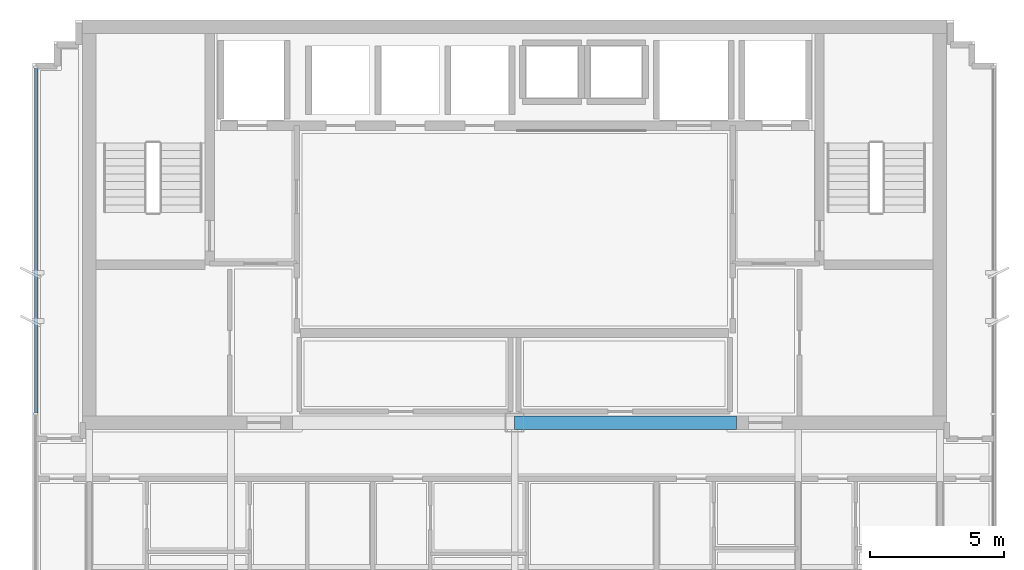
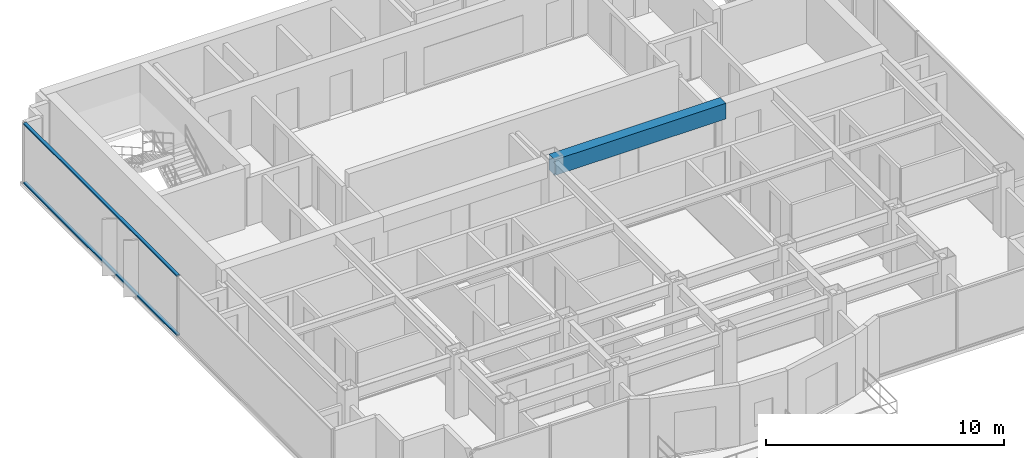
# One storey, part 2 of 10: 2 members, 1 beam, 1 element without a shape of its own.
"""IFC4 building model written with IfcOpenShell, lengths in metres."""

import ifcopenshell
import ifcopenshell.guid

model = None  # the IFC model being written
_history = None  # IfcOwnerHistory: only IFC2X3 demands one
_inside = {}  # id of a spatial element -> (the spatial element, [elements in it])
_under = {}  # id of a project, library or spatial element -> (it, [spatial elements below it])
_declared = {}  # id of a project -> (the project, [libraries it declares])
_typed = {}  # id of a type object -> (the type object, [elements of that type])
_made_of = {}  # id of a material, layer set ... -> (it, [elements and type objects made of it])


def new_model(schema):
    """Start an empty IFC model of exactly this schema.

    Asked for "IFC4X3", IfcOpenShell would pick the latest addendum, in which some entities
    have other attributes; the version numbers below select the first issue.
    IFC2X3 requires an IfcOwnerHistory on every rooted entity: one is made here for all.
    """
    global model, _history
    if schema == "IFC4X3":
        model = ifcopenshell.file(schema_version=(4, 3, 0, 0))
    else:
        model = ifcopenshell.file(schema=schema)
    _inside.clear()
    _under.clear()
    _declared.clear()
    _typed.clear()
    _made_of.clear()
    _history = None
    if model.schema == "IFC2X3":
        org = make("IfcOrganization", Name="unknown")
        user = make(
            "IfcPersonAndOrganization",
            ThePerson=make("IfcPerson", FamilyName="unknown"),
            TheOrganization=org,
        )
        app = make(
            "IfcApplication",
            ApplicationDeveloper=org,
            Version="unknown",
            ApplicationFullName="unknown",
            ApplicationIdentifier="unknown",
        )
        _history = make(
            "IfcOwnerHistory",
            OwningUser=user,
            OwningApplication=app,
            ChangeAction="ADDED",
            CreationDate=0,
        )
    return model


def make(cls, **values):
    """One entity of the class cls with the attributes given. An attribute that is None is left unset."""
    return model.create_entity(
        cls, **{name: value for name, value in values.items() if value is not None}
    )


def rooted(cls, **values):
    """An entity with a GlobalId (a new one), such as an element, a storey or a relation."""
    return make(cls, GlobalId=ifcopenshell.guid.new(), OwnerHistory=_history, **values)


def si_unit(unit_type, name, prefix=None):
    """IfcSIUnit, for example si_unit("LENGTHUNIT", "METRE", prefix="MILLI")."""
    return make("IfcSIUnit", UnitType=unit_type, Prefix=prefix, Name=name)


def assignment(units):
    """IfcUnitAssignment: the units of a project."""
    return None if units is None else make("IfcUnitAssignment", Units=units)


def point(xyz):
    """IfcCartesianPoint."""
    return None if xyz is None else make("IfcCartesianPoint", Coordinates=xyz)


def direction(xyz):
    """IfcDirection."""
    return None if xyz is None else make("IfcDirection", DirectionRatios=xyz)


def frame(location, z_axis=None, x_axis=None):
    """IfcAxis2Placement3D, a coordinate frame: its origin and axes. An axis left out is left unset."""
    return make(
        "IfcAxis2Placement3D",
        Location=point(location),
        Axis=direction(z_axis),
        RefDirection=direction(x_axis),
    )


def frame_2d(location, x_axis=None):
    """IfcAxis2Placement2D, a coordinate frame in the plane: its origin and x axis."""
    return make(
        "IfcAxis2Placement2D", Location=point(location), RefDirection=direction(x_axis)
    )


def origin():
    """The frame at (0, 0, 0) with its axes left unset."""
    return frame((0.0, 0.0, 0.0))


def origin_2d():
    """The frame at (0, 0) in the plane with its x axis left unset."""
    return frame_2d((0.0, 0.0))


def place(relative_to, where):
    """IfcLocalPlacement: puts the frame where relative to a parent placement (None: the world)."""
    return make(
        "IfcLocalPlacement", PlacementRelTo=relative_to, RelativePlacement=where
    )


def context(
    kind, dimensions, precision=None, world=None, true_north=None, identifier=None
):
    """IfcGeometricRepresentationContext, for example the 3D "Model" context."""
    return make(
        "IfcGeometricRepresentationContext",
        ContextIdentifier=identifier,
        ContextType=kind,
        CoordinateSpaceDimension=dimensions,
        Precision=precision,
        WorldCoordinateSystem=world,
        TrueNorth=true_north,
    )


def subcontext(parent, identifier, kind, view, scale=None):
    """IfcGeometricRepresentationSubContext, for example "Body" below "Model"."""
    return make(
        "IfcGeometricRepresentationSubContext",
        ContextIdentifier=identifier,
        ContextType=kind,
        ParentContext=parent,
        TargetScale=scale,
        TargetView=view,
    )


def project(units=None, contexts=None):
    """IfcProject with its units and contexts."""
    return rooted(
        "IfcProject",
        Name="project",
        RepresentationContexts=contexts,
        UnitsInContext=assignment(units),
    )


def spatial(cls, under=None, at=None, **own):
    """A site, building, storey or space (cls), placed at a placement, below another one or the project."""
    s = rooted(cls, ObjectPlacement=at, **own)
    if under is not None:
        _under.setdefault(under.id(), (under, []))[1].append(s)
    return s


def profile(cls, at=None, kind="AREA", **sizes):
    """A parametric profile (cls). Its sizes go by their IFC names, for example OverallWidth=200.0."""
    return make(cls, ProfileType=kind, Position=at, **sizes)


def rectangle(**sizes):
    """IfcRectangleProfileDef."""
    return profile("IfcRectangleProfileDef", **sizes)


def extrude(swept, where, along, depth):
    """IfcExtrudedAreaSolid: the profile swept, set in the frame where, extruded along a direction by depth."""
    return make(
        "IfcExtrudedAreaSolid",
        SweptArea=swept,
        Position=where,
        ExtrudedDirection=direction(along),
        Depth=depth,
    )


def shape(context_of_items, identifier, shape_type, items):
    """IfcShapeRepresentation: the items that make up one representation, for example the "Body"."""
    return make(
        "IfcShapeRepresentation",
        ContextOfItems=context_of_items,
        RepresentationIdentifier=identifier,
        RepresentationType=shape_type,
        Items=items,
    )


def source(mapping_origin, context_of_items, identifier, shape_type, items):
    """IfcRepresentationMap: a shape defined once, which mapped items show again and again."""
    return make(
        "IfcRepresentationMap",
        MappingOrigin=mapping_origin,
        MappedRepresentation=shape(context_of_items, identifier, shape_type, items),
    )


def transform(
    local_origin,
    x_axis=None,
    y_axis=None,
    z_axis=None,
    scale=None,
    scale2=None,
    scale3=None,
    uniform=True,
):
    """IfcCartesianTransformationOperator3D, or its non-uniform kind. x_axis, y_axis, z_axis: its Axis1, 2, 3."""
    if uniform:
        return make(
            "IfcCartesianTransformationOperator3D",
            Axis1=direction(x_axis),
            Axis2=direction(y_axis),
            LocalOrigin=point(local_origin),
            Scale=scale,
            Axis3=direction(z_axis),
        )
    return make(
        "IfcCartesianTransformationOperator3DnonUniform",
        Axis1=direction(x_axis),
        Axis2=direction(y_axis),
        LocalOrigin=point(local_origin),
        Scale=scale,
        Axis3=direction(z_axis),
        Scale2=scale2,
        Scale3=scale3,
    )


def mapped(mapping_source, mapping_target):
    """IfcMappedItem: shows the shape of a source again, moved by a transform."""
    return make(
        "IfcMappedItem", MappingSource=mapping_source, MappingTarget=mapping_target
    )


def material(Name=None, Category=None):
    """IfcMaterial."""
    return make("IfcMaterial", Name=Name, Category=Category)


def layer(
    of_material, thickness, ventilated=None, Name=None, Category=None, Priority=None
):
    """IfcMaterialLayer: one layer of a wall or slab, of a material (None: an air gap)."""
    return make(
        "IfcMaterialLayer",
        Material=of_material,
        LayerThickness=thickness,
        IsVentilated=ventilated,
        Name=Name,
        Category=Category,
        Priority=Priority,
    )


def layer_set(layers, Name=None):
    """IfcMaterialLayerSet."""
    return make("IfcMaterialLayerSet", MaterialLayers=layers, LayerSetName=Name)


def material_profile(
    of_material, cross_section, Name=None, Category=None, Priority=None
):
    """IfcMaterialProfile: a cross section and its material."""
    return make(
        "IfcMaterialProfile",
        Name=Name,
        Material=of_material,
        Profile=cross_section,
        Priority=Priority,
        Category=Category,
    )


def profile_set(profiles, Name=None, composite=None):
    """IfcMaterialProfileSet."""
    return make(
        "IfcMaterialProfileSet",
        Name=Name,
        MaterialProfiles=profiles,
        CompositeProfile=composite,
    )


def made_of(thing, what):
    """Note that an element or type object is made of a material, layer set ...; save() writes the relation."""
    if what is not None:
        _made_of.setdefault(what.id(), (what, []))[1].append(thing)
    return thing


def type_object(cls, material=None, **own):
    """A type object (cls), such as IfcWallType, which elements share."""
    return made_of(rooted(cls, **own), material)


def element(
    cls,
    number,
    at=None,
    inside=None,
    cuts=None,
    type_object=None,
    material=None,
    context=None,
    identifier="Body",
    shape_type=None,
    held_by="IfcProductDefinitionShape",
    body=None,
    shapes=None,
    **own,
):
    """One element of the class cls, such as IfcWall. Its Tag is "e" and its number.

    at: its placement. inside: the storey or other place that contains it. cuts: it is an
    opening in that element (IfcRelVoidsElement). A single representation is given by context,
    identifier, shape_type and body (its items); several are given by shapes. held_by: the class
    of the entity that holds the representations. save() writes the other relations.
    """
    e = rooted(cls, Tag="e%d" % number, ObjectPlacement=at, **own)
    if body is not None:
        shapes = [shape(context, identifier, shape_type, body)]
    if shapes is not None:
        e.Representation = make(held_by, Representations=shapes)
    if inside is not None:
        _inside.setdefault(inside.id(), (inside, []))[1].append(e)
    if cuts is not None:
        rooted(
            "IfcRelVoidsElement", RelatingBuildingElement=cuts, RelatedOpeningElement=e
        )
    if type_object is not None:
        _typed.setdefault(type_object.id(), (type_object, []))[1].append(e)
    return made_of(e, material)


def aggregate(whole, parts):
    """IfcRelAggregates: a whole, such as a stair, and the parts it consists of."""
    return rooted("IfcRelAggregates", RelatingObject=whole, RelatedObjects=parts)


def save(model, path):
    """Write the relations noted so far, then the file.

    IfcRelAggregates (storeys below a building ...), IfcRelContainedInSpatialStructure (elements
    in a storey), IfcRelDefinesByType, IfcRelAssociatesMaterial and IfcRelDeclares: one each for
    every whole, place, type object, material and project.
    """
    for whole, parts in _under.values():
        aggregate(whole, parts)
    for where, things in _inside.values():
        rooted(
            "IfcRelContainedInSpatialStructure",
            RelatedElements=things,
            RelatingStructure=where,
        )
    for kind, things in _typed.values():
        rooted("IfcRelDefinesByType", RelatedObjects=things, RelatingType=kind)
    for what, things in _made_of.values():
        rooted("IfcRelAssociatesMaterial", RelatedObjects=things, RelatingMaterial=what)
    for by, libraries in _declared.values():
        rooted("IfcRelDeclares", RelatingContext=by, RelatedDefinitions=libraries)
    model.write(path)


model = new_model("IFC4")

# Units and contexts
model_context = context("Model", 3, precision=1e-05, world=origin(), true_north=direction((0.0, 1.0)))
body_context = subcontext(model_context, "Body", "Model", "MODEL_VIEW")
ifc_project = project(units=[si_unit("LENGTHUNIT", "METRE"), si_unit("AREAUNIT", "SQUARE_METRE"), si_unit("VOLUMEUNIT", "CUBIC_METRE"), si_unit("PLANEANGLEUNIT", "RADIAN"), si_unit("MASSUNIT", "GRAM", prefix="KILO")], contexts=[model_context])

# Site, building, storey
site_placement = place(None, origin())
site = spatial("IfcSite", under=ifc_project, at=site_placement, CompositionType="ELEMENT")
building_placement = place(site_placement, origin())
building = spatial("IfcBuilding", under=site, at=building_placement, Name="Qianlan Lanfeng Residences", CompositionType="ELEMENT")
storey_placement = place(building_placement, frame((0.0, 0.0, 239.60009765625)))
storey = spatial("IfcBuildingStorey", under=building, at=storey_placement, Name="L66", CompositionType="ELEMENT", Elevation=239.60009765625)

# Beam
ifc_material_1 = material(Name="Concrete C49", Category="concrete")
ifc_material_profile_1 = material_profile(ifc_material_1, rectangle(XDim=0.5, YDim=0.800048828125, at=origin_2d()), Name="RC 500x800")
ifc_profile_set_1 = profile_set([ifc_material_profile_1], Name="Concrete C49")
beam_type = type_object("IfcBeamType", Name="LB-RC750", PredefinedType="BEAM", material=ifc_profile_set_1)
beam_placement = place(storey_placement, frame((26.5, 25.199951171875, 2.7099609375), z_axis=(1.0, 0.0, 0.0), x_axis=(0.0, 1.0, 0.0)))
element("IfcBeam", 1, at=beam_placement, inside=storey, type_object=beam_type, Name="L66 Core Coupling Beam E", PredefinedType="BEAM", context=body_context, shape_type="SweptSolid", body=[
    extrude(rectangle(XDim=0.5, YDim=0.800048828125, at=origin_2d()), origin(), (0.0, 0.0, 1.0), 8.300048828125),
])

# Curtain wall, members
ifc_material_2 = material(Name="Anodised Bronze Aluminium 6063-T6", Category="aluminium")
ifc_layer = layer(ifc_material_2, 0.219970703125)
ifc_layer_set = layer_set([ifc_layer], Name="Anodised Bronze Aluminium 6063-T6")
curtain_wall_type = type_object("IfcCurtainWallType", Name="CW-06", PredefinedType="NOTDEFINED", material=ifc_layer_set)
curtain_wall_placement = place(storey_placement, origin())
curtain_wall = element("IfcCurtainWall", 2, at=curtain_wall_placement, inside=storey, type_object=curtain_wall_type, Name="L66 Unitised Curtain Wall CWR-L66-04 (CW-06)", PredefinedType="NOTDEFINED")
ifc_material_profile_2 = material_profile(ifc_material_2, rectangle(XDim=0.074951171875, YDim=0.14990234375, at=origin_2d()), Name="ALU TRANSOM 75x150")
ifc_profile_set_2 = profile_set([ifc_material_profile_2], Name="Anodised Bronze Aluminium 6063-T6")
member_type = type_object("IfcMemberType", Name="CWT-150", PredefinedType="USERDEFINED", material=ifc_profile_set_2)
shared_shape = source(origin(), body_context, "Body", "SweptSolid", [
    extrude(rectangle(XDim=0.074951171875, YDim=0.14990234375, at=origin_2d()), origin(), (0.0, 0.0, 1.0), 12.892578125),
])
member_1_placement = place(storey_placement, frame((8.60009765625, 38.455078125, 0.037353515625), z_axis=(0.0, -1.0, 0.0), x_axis=(0.0, 0.0, 1.0)))
member_1 = element("IfcMember", 3, at=member_1_placement, type_object=member_type, Name="CWR-L66-04 Transom 1-BOT", ObjectType="TRANSOM", PredefinedType="USERDEFINED", context=body_context, shape_type="MappedRepresentation", body=[
    mapped(shared_shape, transform((0.0, 0.0, 0.0), scale=1.0)),
])
member_2_placement = place(storey_placement, frame((8.60009765625, 38.455078125, 3.072509765625), z_axis=(0.0, -1.0, 0.0), x_axis=(0.0, 0.0, 1.0)))
member_2 = element("IfcMember", 4, at=member_2_placement, type_object=member_type, Name="CWR-L66-04 Transom 1-TOP", ObjectType="TRANSOM", PredefinedType="USERDEFINED", context=body_context, shape_type="MappedRepresentation", body=[
    mapped(shared_shape, transform((0.0, 0.0, 0.0), scale=1.0)),
])
aggregate(curtain_wall, [member_1, member_2])

save(model, "model.ifc")
